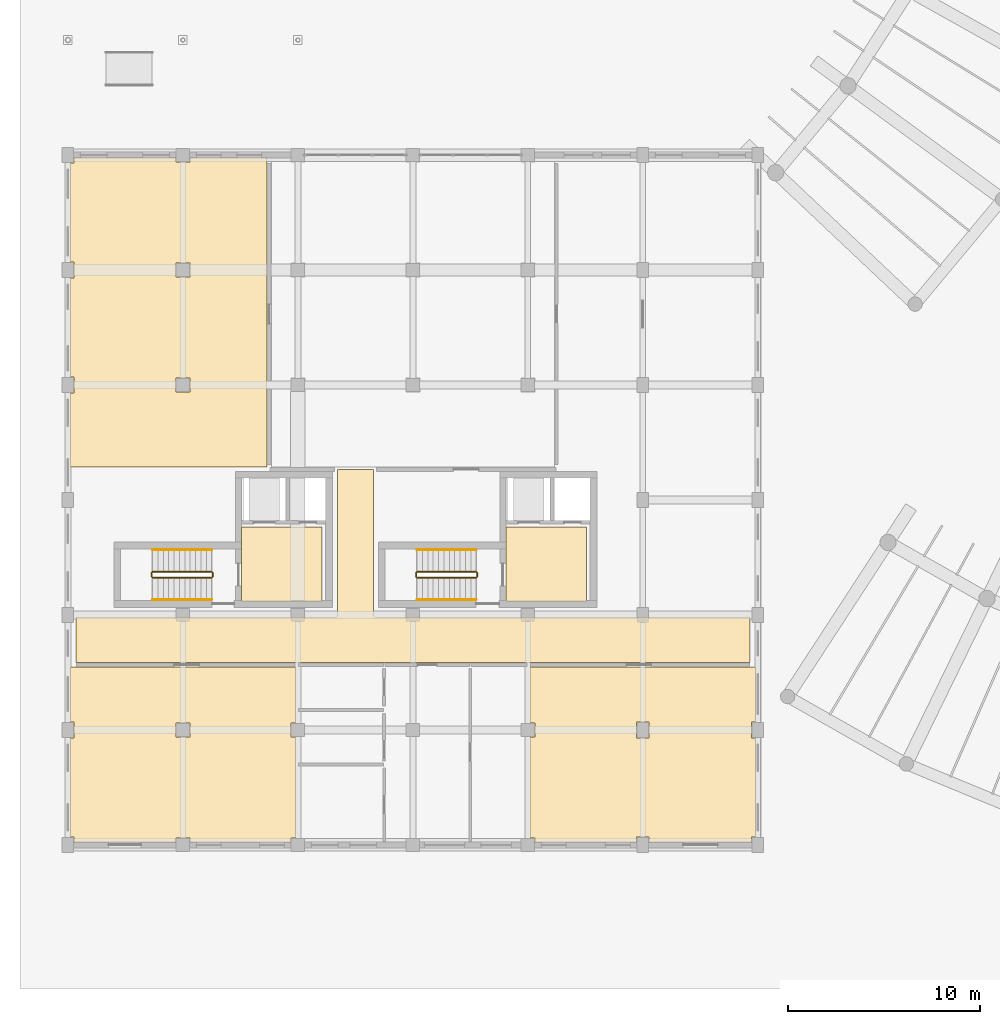
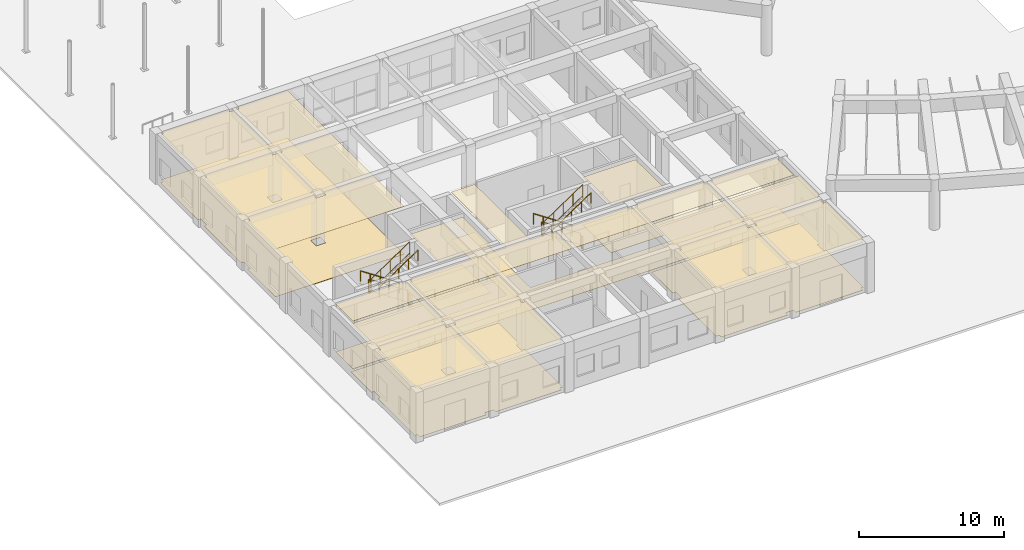
# One storey, part 67 of 76: 12 coverings, 12 railings.
"""IFC4 building model written with IfcOpenShell, lengths in metres."""

from ifc_helpers import new_model, si_unit, direction, frame, origin, origin_2d, place, context, subcontext, project, spatial, polyline, circle, outline, extrude, material, layer, layer_set, type_object, element, save


model = new_model("IFC4")

# Units and contexts
model_context = context("Model", 3, precision=1e-05, world=origin(), true_north=direction((0.0, 1.0)))
body_context = subcontext(model_context, "Body", "Model", "MODEL_VIEW")
ifc_project = project(units=[si_unit("LENGTHUNIT", "METRE"), si_unit("AREAUNIT", "SQUARE_METRE"), si_unit("VOLUMEUNIT", "CUBIC_METRE"), si_unit("PLANEANGLEUNIT", "RADIAN"), si_unit("MASSUNIT", "GRAM", prefix="KILO"), si_unit("POWERUNIT", "WATT"), si_unit("THERMODYNAMICTEMPERATUREUNIT", "KELVIN")], contexts=[model_context])

# Site, building, storey
site_placement = place(None, origin())
site = spatial("IfcSite", under=ifc_project, at=site_placement, CompositionType="ELEMENT")
building_placement = place(site_placement, origin())
building = spatial("IfcBuilding", under=site, at=building_placement, Name="Ruvembo Vaulted Housing Court", CompositionType="ELEMENT")
storey_placement = place(building_placement, origin())
storey = spatial("IfcBuildingStorey", under=building, at=storey_placement, Name="L00", CompositionType="ELEMENT", Elevation=0.0)

# Coverings
ifc_material_1 = material(Name="Perforated Mineral-Fibre Acoustic Tile", Category="gypsum")
ifc_layer_1 = layer(ifc_material_1, 0.02001953125, Name="Perforated Mineral-Fibre Acoustic Tile")
ifc_layer_set_1 = layer_set([ifc_layer_1], Name="Perforated Mineral-Fibre Acoustic Tile")
covering_type_1 = type_object("IfcCoveringType", Name="COV-CEIL-ACOUST", PredefinedType="CEILING", material=ifc_layer_set_1)
covering_1_placement = place(storey_placement, frame((0.0, 0.0, 4.034912109375)))
element("IfcCovering", 1, at=covering_1_placement, inside=storey, type_object=covering_type_1, Name="Firefighting Lift Lobby A1 Ceiling", PredefinedType="CEILING", context=body_context, shape_type="SweptSolid", body=[
    extrude(outline(polyline([(9.050048828125, 22.60009765625), (9.050048828125, 18.699951171875), (13.25, 18.699951171875), (13.25, 22.60009765625), (9.050048828125, 22.60009765625)])), origin(), (0.0, 0.0, 1.0), 0.02001953125),
])
covering_2_placement = place(storey_placement, frame((0.0, 0.0, 4.034912109375)))
element("IfcCovering", 2, at=covering_2_placement, inside=storey, type_object=covering_type_1, Name="Firefighting Lift Lobby A2 Ceiling", PredefinedType="CEILING", context=body_context, shape_type="SweptSolid", body=[
    extrude(outline(polyline([(22.85009765625, 22.60009765625), (22.85009765625, 18.699951171875), (27.050048828125, 18.699951171875), (27.050048828125, 22.60009765625), (22.85009765625, 22.60009765625)])), origin(), (0.0, 0.0, 1.0), 0.02001953125),
])
covering_3_placement = place(storey_placement, frame((0.0, 0.0, 4.034912109375)))
element("IfcCovering", 3, at=covering_3_placement, inside=storey, type_object=covering_type_1, Name="Block A L00 Corridor Ceiling", PredefinedType="CEILING", context=body_context, shape_type="SweptSolid", body=[
    extrude(outline(polyline([(13.949951171875, 17.889892578125), (0.409912109375, 17.889892578125), (0.409912109375, 15.510009765625), (35.590087890625, 15.510009765625), (35.590087890625, 17.889892578125), (16.050048828125, 17.889892578125), (16.039306640625, 17.890380859375), (16.028564453125, 17.89208984375), (16.01806640625, 17.894775390625), (16.0078125, 17.8984375), (15.998046875, 17.903076171875), (15.989013671875, 17.908447265625), (15.980224609375, 17.9150390625), (15.97216796875, 17.922119140625), (15.965087890625, 17.93017578125), (15.95849609375, 17.93896484375), (15.952880859375, 17.947998046875), (15.948486328125, 17.9580078125), (15.944580078125, 17.968017578125), (15.942138671875, 17.978515625), (15.9404296875, 17.9892578125), (15.93994140625, 18.0), (15.93994140625, 25.590087890625), (14.06005859375, 25.590087890625), (14.06005859375, 18.0), (14.0595703125, 17.9892578125), (14.057861328125, 17.978515625), (14.055419921875, 17.968017578125), (14.051513671875, 17.9580078125), (14.047119140625, 17.947998046875), (14.04150390625, 17.93896484375), (14.034912109375, 17.93017578125), (14.02783203125, 17.922119140625), (14.019775390625, 17.9150390625), (14.010986328125, 17.908447265625), (14.001953125, 17.903076171875), (13.9921875, 17.8984375), (13.98193359375, 17.894775390625), (13.971435546875, 17.89208984375), (13.960693359375, 17.890380859375), (13.949951171875, 17.889892578125)])), origin(), (0.0, 0.0, 1.0), 0.02001953125),
])
covering_4_placement = place(storey_placement, frame((0.0, 0.0, 4.034912109375)))
element("IfcCovering", 4, at=covering_4_placement, inside=storey, type_object=covering_type_1, Name="Fire Command Centre Ceiling", PredefinedType="CEILING", context=body_context, shape_type="SweptSolid", body=[
    extrude(outline(polyline([(0.320068359375, 30.419921875), (0.320068359375, 29.580078125), (0.110107421875, 29.580078125), (0.110107421875, 25.7099609375), (10.389892578125, 25.7099609375), (10.389892578125, 41.889892578125), (6.3701171875, 41.889892578125), (6.3701171875, 41.6298828125), (5.6298828125, 41.6298828125), (5.6298828125, 41.889892578125), (0.320068359375, 41.889892578125), (0.320068359375, 41.580078125), (0.110107421875, 41.580078125), (0.110107421875, 36.419921875), (0.320068359375, 36.419921875), (0.320068359375, 35.580078125), (0.110107421875, 35.580078125), (0.110107421875, 30.419921875), (0.320068359375, 30.419921875)]), holes=[polyline([(5.6298828125, 29.6298828125), (6.3701171875, 29.6298828125), (6.3701171875, 30.3701171875), (5.6298828125, 30.3701171875), (5.6298828125, 29.6298828125)]), polyline([(5.6298828125, 35.6298828125), (6.3701171875, 35.6298828125), (6.3701171875, 36.3701171875), (5.6298828125, 36.3701171875), (5.6298828125, 35.6298828125)])]), origin(), (0.0, 0.0, 1.0), 0.02001953125),
])
covering_5_placement = place(storey_placement, frame((0.0, 0.0, 4.034912109375)))
element("IfcCovering", 5, at=covering_5_placement, inside=storey, type_object=covering_type_1, Name="Block A West Exit Vestibule Ceiling", PredefinedType="CEILING", context=body_context, shape_type="SweptSolid", body=[
    extrude(outline(polyline([(5.6298828125, 6.3701171875), (6.3701171875, 6.3701171875), (6.3701171875, 6.110107421875), (11.6298828125, 6.110107421875), (11.6298828125, 6.3701171875), (11.889892578125, 6.3701171875), (11.889892578125, 11.6298828125), (11.6298828125, 11.6298828125), (11.6298828125, 12.3701171875), (11.889892578125, 12.3701171875), (11.889892578125, 15.2900390625), (0.110107421875, 15.2900390625), (0.110107421875, 12.419921875), (0.320068359375, 12.419921875), (0.320068359375, 11.580078125), (0.110107421875, 11.580078125), (0.110107421875, 6.419921875), (0.320068359375, 6.419921875), (0.320068359375, 6.110107421875), (5.6298828125, 6.110107421875), (5.6298828125, 6.3701171875)]), holes=[polyline([(5.6298828125, 11.6298828125), (6.3701171875, 11.6298828125), (6.3701171875, 12.3701171875), (5.6298828125, 12.3701171875), (5.6298828125, 11.6298828125)])]), origin(), (0.0, 0.0, 1.0), 0.02001953125),
])
covering_6_placement = place(storey_placement, frame((0.0, 0.0, 4.034912109375)))
element("IfcCovering", 6, at=covering_6_placement, inside=storey, type_object=covering_type_1, Name="Block A East Exit Vestibule Ceiling", PredefinedType="CEILING", context=body_context, shape_type="SweptSolid", body=[
    extrude(outline(polyline([(29.679931640625, 6.419921875), (30.320068359375, 6.419921875), (30.320068359375, 6.110107421875), (35.679931640625, 6.110107421875), (35.679931640625, 6.419921875), (35.889892578125, 6.419921875), (35.889892578125, 11.580078125), (35.679931640625, 11.580078125), (35.679931640625, 12.419921875), (35.889892578125, 12.419921875), (35.889892578125, 15.2900390625), (24.110107421875, 15.2900390625), (24.110107421875, 12.3701171875), (24.3701171875, 12.3701171875), (24.3701171875, 11.6298828125), (24.110107421875, 11.6298828125), (24.110107421875, 6.3701171875), (24.3701171875, 6.3701171875), (24.3701171875, 6.110107421875), (29.679931640625, 6.110107421875), (29.679931640625, 6.419921875)]), holes=[polyline([(29.679931640625, 11.580078125), (30.320068359375, 11.580078125), (30.320068359375, 12.419921875), (29.679931640625, 12.419921875), (29.679931640625, 11.580078125)])]), origin(), (0.0, 0.0, 1.0), 0.02001953125),
])
ifc_material_2 = material(Name="Polished Cement-Aggregate Terrazzo", Category="stone")
ifc_layer_2 = layer(ifc_material_2, 0.02197265625, Name="Polished Cement-Aggregate Terrazzo")
ifc_layer_set_2 = layer_set([ifc_layer_2], Name="Polished Cement-Aggregate Terrazzo")
covering_type_2 = type_object("IfcCoveringType", Name="COV-FLR-CERAMIC", PredefinedType="FLOORING", material=ifc_layer_set_2)
covering_7_placement = place(storey_placement, origin())
element("IfcCovering", 7, at=covering_7_placement, inside=storey, type_object=covering_type_2, Name="Firefighting Lift Lobby A1 Flooring", PredefinedType="FLOORING", context=body_context, shape_type="SweptSolid", body=[
    extrude(outline(polyline([(9.050048828125, 22.60009765625), (9.050048828125, 18.699951171875), (13.25, 18.699951171875), (13.25, 22.60009765625), (9.050048828125, 22.60009765625)])), origin(), (0.0, 0.0, 1.0), 0.02197265625),
])
covering_8_placement = place(storey_placement, origin())
element("IfcCovering", 8, at=covering_8_placement, inside=storey, type_object=covering_type_2, Name="Firefighting Lift Lobby A2 Flooring", PredefinedType="FLOORING", context=body_context, shape_type="SweptSolid", body=[
    extrude(outline(polyline([(22.85009765625, 22.60009765625), (22.85009765625, 18.699951171875), (27.050048828125, 18.699951171875), (27.050048828125, 22.60009765625), (22.85009765625, 22.60009765625)])), origin(), (0.0, 0.0, 1.0), 0.02197265625),
])
covering_9_placement = place(storey_placement, origin())
element("IfcCovering", 9, at=covering_9_placement, inside=storey, type_object=covering_type_2, Name="Block A L00 Corridor Flooring", PredefinedType="FLOORING", context=body_context, shape_type="SweptSolid", body=[
    extrude(outline(polyline([(13.949951171875, 17.889892578125), (0.409912109375, 17.889892578125), (0.409912109375, 15.510009765625), (35.590087890625, 15.510009765625), (35.590087890625, 17.889892578125), (16.050048828125, 17.889892578125), (16.039306640625, 17.890380859375), (16.028564453125, 17.89208984375), (16.01806640625, 17.894775390625), (16.0078125, 17.8984375), (15.998046875, 17.903076171875), (15.989013671875, 17.908447265625), (15.980224609375, 17.9150390625), (15.97216796875, 17.922119140625), (15.965087890625, 17.93017578125), (15.95849609375, 17.93896484375), (15.952880859375, 17.947998046875), (15.948486328125, 17.9580078125), (15.944580078125, 17.968017578125), (15.942138671875, 17.978515625), (15.9404296875, 17.9892578125), (15.93994140625, 18.0), (15.93994140625, 25.590087890625), (14.06005859375, 25.590087890625), (14.06005859375, 18.0), (14.0595703125, 17.9892578125), (14.057861328125, 17.978515625), (14.055419921875, 17.968017578125), (14.051513671875, 17.9580078125), (14.047119140625, 17.947998046875), (14.04150390625, 17.93896484375), (14.034912109375, 17.93017578125), (14.02783203125, 17.922119140625), (14.019775390625, 17.9150390625), (14.010986328125, 17.908447265625), (14.001953125, 17.903076171875), (13.9921875, 17.8984375), (13.98193359375, 17.894775390625), (13.971435546875, 17.89208984375), (13.960693359375, 17.890380859375), (13.949951171875, 17.889892578125)])), origin(), (0.0, 0.0, 1.0), 0.02197265625),
])
covering_10_placement = place(storey_placement, origin())
element("IfcCovering", 10, at=covering_10_placement, inside=storey, type_object=covering_type_2, Name="Fire Command Centre Flooring", PredefinedType="FLOORING", context=body_context, shape_type="SweptSolid", body=[
    extrude(outline(polyline([(0.320068359375, 30.419921875), (0.320068359375, 29.580078125), (0.110107421875, 29.580078125), (0.110107421875, 25.7099609375), (10.389892578125, 25.7099609375), (10.389892578125, 41.889892578125), (6.3701171875, 41.889892578125), (6.3701171875, 41.6298828125), (5.6298828125, 41.6298828125), (5.6298828125, 41.889892578125), (0.320068359375, 41.889892578125), (0.320068359375, 41.580078125), (0.110107421875, 41.580078125), (0.110107421875, 36.419921875), (0.320068359375, 36.419921875), (0.320068359375, 35.580078125), (0.110107421875, 35.580078125), (0.110107421875, 30.419921875), (0.320068359375, 30.419921875)]), holes=[polyline([(5.6298828125, 29.6298828125), (6.3701171875, 29.6298828125), (6.3701171875, 30.3701171875), (5.6298828125, 30.3701171875), (5.6298828125, 29.6298828125)]), polyline([(5.6298828125, 35.6298828125), (6.3701171875, 35.6298828125), (6.3701171875, 36.3701171875), (5.6298828125, 36.3701171875), (5.6298828125, 35.6298828125)])]), origin(), (0.0, 0.0, 1.0), 0.02197265625),
])
covering_11_placement = place(storey_placement, origin())
element("IfcCovering", 11, at=covering_11_placement, inside=storey, type_object=covering_type_2, Name="Block A West Exit Vestibule Flooring", PredefinedType="FLOORING", context=body_context, shape_type="SweptSolid", body=[
    extrude(outline(polyline([(5.6298828125, 6.3701171875), (6.3701171875, 6.3701171875), (6.3701171875, 6.110107421875), (11.6298828125, 6.110107421875), (11.6298828125, 6.3701171875), (11.889892578125, 6.3701171875), (11.889892578125, 11.6298828125), (11.6298828125, 11.6298828125), (11.6298828125, 12.3701171875), (11.889892578125, 12.3701171875), (11.889892578125, 15.2900390625), (0.110107421875, 15.2900390625), (0.110107421875, 12.419921875), (0.320068359375, 12.419921875), (0.320068359375, 11.580078125), (0.110107421875, 11.580078125), (0.110107421875, 6.419921875), (0.320068359375, 6.419921875), (0.320068359375, 6.110107421875), (5.6298828125, 6.110107421875), (5.6298828125, 6.3701171875)]), holes=[polyline([(5.6298828125, 11.6298828125), (6.3701171875, 11.6298828125), (6.3701171875, 12.3701171875), (5.6298828125, 12.3701171875), (5.6298828125, 11.6298828125)])]), origin(), (0.0, 0.0, 1.0), 0.02197265625),
])
covering_12_placement = place(storey_placement, origin())
element("IfcCovering", 12, at=covering_12_placement, inside=storey, type_object=covering_type_2, Name="Block A East Exit Vestibule Flooring", PredefinedType="FLOORING", context=body_context, shape_type="SweptSolid", body=[
    extrude(outline(polyline([(29.679931640625, 6.419921875), (30.320068359375, 6.419921875), (30.320068359375, 6.110107421875), (35.679931640625, 6.110107421875), (35.679931640625, 6.419921875), (35.889892578125, 6.419921875), (35.889892578125, 11.580078125), (35.679931640625, 11.580078125), (35.679931640625, 12.419921875), (35.889892578125, 12.419921875), (35.889892578125, 15.2900390625), (24.110107421875, 15.2900390625), (24.110107421875, 12.3701171875), (24.3701171875, 12.3701171875), (24.3701171875, 11.6298828125), (24.110107421875, 11.6298828125), (24.110107421875, 6.3701171875), (24.3701171875, 6.3701171875), (24.3701171875, 6.110107421875), (29.679931640625, 6.110107421875), (29.679931640625, 6.419921875)]), holes=[polyline([(29.679931640625, 11.580078125), (30.320068359375, 11.580078125), (30.320068359375, 12.419921875), (29.679931640625, 12.419921875), (29.679931640625, 11.580078125)])]), origin(), (0.0, 0.0, 1.0), 0.02197265625),
])

# Railings
ifc_material_3 = material(Name="Painted Galvanised Steel S275", Category="steel")
ifc_layer_3 = layer(ifc_material_3, 0.06005859375, Name="Painted Galvanised Steel S275")
ifc_layer_set_3 = layer_set([ifc_layer_3], Name="Painted Galvanised Steel S275")
railing_type_1 = type_object("IfcRailingType", Name="RL-STAIR-GR1100", PredefinedType="GUARDRAIL", material=ifc_layer_set_3)
railing_1_placement = place(storey_placement, frame((7.5, 20.25, 0.1875)))
element("IfcRailing", 13, at=railing_1_placement, inside=storey, type_object=railing_type_1, Name="L00 ST-A1 stair guard 1", PredefinedType="GUARDRAIL", context=body_context, shape_type="SweptSolid", body=[
    extrude(circle(Radius=0.02392578125, at=origin_2d()), frame((0.0, 0.0, 1.076171875), z_axis=(-0.830913701846, 0.0, 0.55640131208), x_axis=(0.0, -1.0, 0.0)), (0.0, 0.0, 1.0), 3.706787109375),
    extrude(circle(Radius=0.01806640625, at=origin_2d()), frame((0.0, 0.0, 0.1201171875), z_axis=(-0.830913701846, 0.0, 0.55640131208), x_axis=(0.0, -1.0, 0.0)), (0.0, 0.0, 1.0), 3.706787109375),
    extrude(circle(Radius=0.02099609375, at=origin_2d()), origin(), (0.0, 0.0, 1.0), 1.052001953125),
    extrude(circle(Radius=0.02099609375, at=origin_2d()), frame((-0.77001953125, 0.0, 0.515625)), (0.0, 0.0, 1.0), 1.052001953125),
    extrude(circle(Radius=0.02099609375, at=origin_2d()), frame((-1.5400390625, 0.0, 1.03125)), (0.0, 0.0, 1.0), 1.052001953125),
    extrude(circle(Radius=0.02099609375, at=origin_2d()), frame((-2.31005859375, 0.0, 1.546875)), (0.0, 0.0, 1.0), 1.052001953125),
    extrude(circle(Radius=0.02099609375, at=origin_2d()), frame((-3.080078125, 0.0, 2.0625)), (0.0, 0.0, 1.0), 1.052001953125),
])
railing_2_placement = place(storey_placement, frame((4.3701171875, 20.199951171875, 2.25)))
element("IfcRailing", 14, at=railing_2_placement, inside=storey, type_object=railing_type_1, Name="L00 ST-A1 stair guard 2", PredefinedType="GUARDRAIL", context=body_context, shape_type="SweptSolid", body=[
    extrude(circle(Radius=0.02392578125, at=origin_2d()), frame((0.0, 0.0, 1.076171875), z_axis=(0.0, -1.0, 0.0), x_axis=(1.0, 0.0, 0.0)), (0.0, 0.0, 1.0), 0.199951171875),
    extrude(circle(Radius=0.01806640625, at=origin_2d()), frame((0.0, 0.0, 0.1201171875), z_axis=(0.0, -1.0, 0.0), x_axis=(1.0, 0.0, 0.0)), (0.0, 0.0, 1.0), 0.199951171875),
    extrude(circle(Radius=0.02099609375, at=origin_2d()), origin(), (0.0, 0.0, 1.0), 1.052001953125),
    extrude(circle(Radius=0.02099609375, at=origin_2d()), frame((0.0, -0.199951171875, 0.0)), (0.0, 0.0, 1.0), 1.052001953125),
])
railing_3_placement = place(storey_placement, frame((4.419921875, 19.949951171875, 2.4375)))
element("IfcRailing", 15, at=railing_3_placement, inside=storey, type_object=railing_type_1, Name="L00 ST-A1 stair guard 3", PredefinedType="GUARDRAIL", context=body_context, shape_type="SweptSolid", body=[
    extrude(circle(Radius=0.02392578125, at=origin_2d()), frame((0.0, 0.0, 1.076171875), z_axis=(0.830913701846, 0.0, 0.55640131208), x_axis=(0.0, 1.0, 0.0)), (0.0, 0.0, 1.0), 3.706787109375),
    extrude(circle(Radius=0.01806640625, at=origin_2d()), frame((0.0, 0.0, 0.1201171875), z_axis=(0.830913701846, 0.0, 0.55640131208), x_axis=(0.0, 1.0, 0.0)), (0.0, 0.0, 1.0), 3.706787109375),
    extrude(circle(Radius=0.02099609375, at=origin_2d()), origin(), (0.0, 0.0, 1.0), 1.052001953125),
    extrude(circle(Radius=0.02099609375, at=origin_2d()), frame((0.77001953125, 0.0, 0.515625)), (0.0, 0.0, 1.0), 1.052001953125),
    extrude(circle(Radius=0.02099609375, at=origin_2d()), frame((1.5400390625, 0.0, 1.03125)), (0.0, 0.0, 1.0), 1.052001953125),
    extrude(circle(Radius=0.02099609375, at=origin_2d()), frame((2.31005859375, 0.0, 1.546875)), (0.0, 0.0, 1.0), 1.052001953125),
    extrude(circle(Radius=0.02099609375, at=origin_2d()), frame((3.080078125, 0.0, 2.0625)), (0.0, 0.0, 1.0), 1.052001953125),
])
railing_4_placement = place(storey_placement, frame((7.550048828125, 20.199951171875, 0.0)))
element("IfcRailing", 16, at=railing_4_placement, inside=storey, type_object=railing_type_1, Name="L00 ST-A1 stair guard 4", PredefinedType="GUARDRAIL", context=body_context, shape_type="SweptSolid", body=[
    extrude(circle(Radius=0.02392578125, at=origin_2d()), frame((0.0, 0.0, 1.076171875), z_axis=(0.0, -1.0, 0.0), x_axis=(1.0, 0.0, 0.0)), (0.0, 0.0, 1.0), 0.199951171875),
    extrude(circle(Radius=0.01806640625, at=origin_2d()), frame((0.0, 0.0, 0.1201171875), z_axis=(0.0, -1.0, 0.0), x_axis=(1.0, 0.0, 0.0)), (0.0, 0.0, 1.0), 0.199951171875),
    extrude(circle(Radius=0.02099609375, at=origin_2d()), origin(), (0.0, 0.0, 1.0), 1.052001953125),
    extrude(circle(Radius=0.02099609375, at=origin_2d()), frame((0.0, -0.199951171875, 0.0)), (0.0, 0.0, 1.0), 1.052001953125),
])
railing_5_placement = place(storey_placement, frame((21.300048828125, 20.25, 0.1875)))
element("IfcRailing", 17, at=railing_5_placement, inside=storey, type_object=railing_type_1, Name="L00 ST-A2 stair guard 1", PredefinedType="GUARDRAIL", context=body_context, shape_type="SweptSolid", body=[
    extrude(circle(Radius=0.02392578125, at=origin_2d()), frame((0.0, 0.0, 1.076171875), z_axis=(-0.830913701846, 0.0, 0.55640131208), x_axis=(0.0, -1.0, 0.0)), (0.0, 0.0, 1.0), 3.706787109375),
    extrude(circle(Radius=0.01806640625, at=origin_2d()), frame((0.0, 0.0, 0.1201171875), z_axis=(-0.830913701846, 0.0, 0.55640131208), x_axis=(0.0, -1.0, 0.0)), (0.0, 0.0, 1.0), 3.706787109375),
    extrude(circle(Radius=0.02099609375, at=origin_2d()), origin(), (0.0, 0.0, 1.0), 1.052001953125),
    extrude(circle(Radius=0.02099609375, at=origin_2d()), frame((-0.77001953125, 0.0, 0.515625)), (0.0, 0.0, 1.0), 1.052001953125),
    extrude(circle(Radius=0.02099609375, at=origin_2d()), frame((-1.5400390625, 0.0, 1.03125)), (0.0, 0.0, 1.0), 1.052001953125),
    extrude(circle(Radius=0.02099609375, at=origin_2d()), frame((-2.31005859375, 0.0, 1.546875)), (0.0, 0.0, 1.0), 1.052001953125),
    extrude(circle(Radius=0.02099609375, at=origin_2d()), frame((-3.080078125, 0.0, 2.0625)), (0.0, 0.0, 1.0), 1.052001953125),
])
railing_6_placement = place(storey_placement, frame((18.169921875, 20.199951171875, 2.25)))
element("IfcRailing", 18, at=railing_6_placement, inside=storey, type_object=railing_type_1, Name="L00 ST-A2 stair guard 2", PredefinedType="GUARDRAIL", context=body_context, shape_type="SweptSolid", body=[
    extrude(circle(Radius=0.02392578125, at=origin_2d()), frame((0.0, 0.0, 1.076171875), z_axis=(0.0, -1.0, 0.0), x_axis=(1.0, 0.0, 0.0)), (0.0, 0.0, 1.0), 0.199951171875),
    extrude(circle(Radius=0.01806640625, at=origin_2d()), frame((0.0, 0.0, 0.1201171875), z_axis=(0.0, -1.0, 0.0), x_axis=(1.0, 0.0, 0.0)), (0.0, 0.0, 1.0), 0.199951171875),
    extrude(circle(Radius=0.02099609375, at=origin_2d()), origin(), (0.0, 0.0, 1.0), 1.052001953125),
    extrude(circle(Radius=0.02099609375, at=origin_2d()), frame((0.0, -0.199951171875, 0.0)), (0.0, 0.0, 1.0), 1.052001953125),
])
railing_7_placement = place(storey_placement, frame((18.219970703125, 19.949951171875, 2.4375)))
element("IfcRailing", 19, at=railing_7_placement, inside=storey, type_object=railing_type_1, Name="L00 ST-A2 stair guard 3", PredefinedType="GUARDRAIL", context=body_context, shape_type="SweptSolid", body=[
    extrude(circle(Radius=0.02392578125, at=origin_2d()), frame((0.0, 0.0, 1.076171875), z_axis=(0.830913701846, 0.0, 0.55640131208), x_axis=(0.0, 1.0, 0.0)), (0.0, 0.0, 1.0), 3.706787109375),
    extrude(circle(Radius=0.01806640625, at=origin_2d()), frame((0.0, 0.0, 0.1201171875), z_axis=(0.830913701846, 0.0, 0.55640131208), x_axis=(0.0, 1.0, 0.0)), (0.0, 0.0, 1.0), 3.706787109375),
    extrude(circle(Radius=0.02099609375, at=origin_2d()), origin(), (0.0, 0.0, 1.0), 1.052001953125),
    extrude(circle(Radius=0.02099609375, at=origin_2d()), frame((0.77001953125, 0.0, 0.515625)), (0.0, 0.0, 1.0), 1.052001953125),
    extrude(circle(Radius=0.02099609375, at=origin_2d()), frame((1.5400390625, 0.0, 1.03125)), (0.0, 0.0, 1.0), 1.052001953125),
    extrude(circle(Radius=0.02099609375, at=origin_2d()), frame((2.31005859375, 0.0, 1.546875)), (0.0, 0.0, 1.0), 1.052001953125),
    extrude(circle(Radius=0.02099609375, at=origin_2d()), frame((3.080078125, 0.0, 2.0625)), (0.0, 0.0, 1.0), 1.052001953125),
])
railing_8_placement = place(storey_placement, frame((21.35009765625, 20.199951171875, 0.0)))
element("IfcRailing", 20, at=railing_8_placement, inside=storey, type_object=railing_type_1, Name="L00 ST-A2 stair guard 4", PredefinedType="GUARDRAIL", context=body_context, shape_type="SweptSolid", body=[
    extrude(circle(Radius=0.02392578125, at=origin_2d()), frame((0.0, 0.0, 1.076171875), z_axis=(0.0, -1.0, 0.0), x_axis=(1.0, 0.0, 0.0)), (0.0, 0.0, 1.0), 0.199951171875),
    extrude(circle(Radius=0.01806640625, at=origin_2d()), frame((0.0, 0.0, 0.1201171875), z_axis=(0.0, -1.0, 0.0), x_axis=(1.0, 0.0, 0.0)), (0.0, 0.0, 1.0), 0.199951171875),
    extrude(circle(Radius=0.02099609375, at=origin_2d()), origin(), (0.0, 0.0, 1.0), 1.052001953125),
    extrude(circle(Radius=0.02099609375, at=origin_2d()), frame((0.0, -0.199951171875, 0.0)), (0.0, 0.0, 1.0), 1.052001953125),
])
ifc_material_4 = material(Name="Brushed Stainless Steel 304", Category="steel")
ifc_layer_4 = layer(ifc_material_4, 0.050048828125, Name="Brushed Stainless Steel 304")
ifc_layer_set_4 = layer_set([ifc_layer_4], Name="Brushed Stainless Steel 304")
railing_type_2 = type_object("IfcRailingType", Name="RL-STAIR-HR920", PredefinedType="HANDRAIL", material=ifc_layer_set_4)
railing_9_placement = place(storey_placement, frame((7.5, 21.39990234375, 0.379150390625)))
element("IfcRailing", 21, at=railing_9_placement, inside=storey, type_object=railing_type_2, Name="L00 ST-A1 stair handrail 1", PredefinedType="HANDRAIL", context=body_context, shape_type="SweptSolid", body=[
    extrude(circle(Radius=0.02392578125, at=origin_2d()), frame((0.0, 0.0, 0.8759765625), z_axis=(-0.830913701846, 0.0, 0.55640131208), x_axis=(0.0, -1.0, 0.0)), (0.0, 0.0, 1.0), 3.706787109375),
    extrude(circle(Radius=0.02099609375, at=origin_2d()), origin(), (0.0, 0.0, 1.0), 0.851806640625),
    extrude(circle(Radius=0.02099609375, at=origin_2d()), frame((-0.77001953125, 0.0, 0.515625)), (0.0, 0.0, 1.0), 0.851806640625),
    extrude(circle(Radius=0.02099609375, at=origin_2d()), frame((-1.5400390625, 0.0, 1.03125)), (0.0, 0.0, 1.0), 0.851806640625),
    extrude(circle(Radius=0.02099609375, at=origin_2d()), frame((-2.31005859375, 0.0, 1.546875)), (0.0, 0.0, 1.0), 0.851806640625),
    extrude(circle(Radius=0.02099609375, at=origin_2d()), frame((-3.080078125, 0.0, 2.0625)), (0.0, 0.0, 1.0), 0.851806640625),
])
railing_10_placement = place(storey_placement, frame((4.419921875, 18.800048828125, 2.629150390625)))
element("IfcRailing", 22, at=railing_10_placement, inside=storey, type_object=railing_type_2, Name="L00 ST-A1 stair handrail 2", PredefinedType="HANDRAIL", context=body_context, shape_type="SweptSolid", body=[
    extrude(circle(Radius=0.02392578125, at=origin_2d()), frame((0.0, 0.0, 0.8759765625), z_axis=(0.830913701846, 0.0, 0.55640131208), x_axis=(0.0, 1.0, 0.0)), (0.0, 0.0, 1.0), 3.706787109375),
    extrude(circle(Radius=0.02099609375, at=origin_2d()), origin(), (0.0, 0.0, 1.0), 0.851806640625),
    extrude(circle(Radius=0.02099609375, at=origin_2d()), frame((0.77001953125, 0.0, 0.515625)), (0.0, 0.0, 1.0), 0.851806640625),
    extrude(circle(Radius=0.02099609375, at=origin_2d()), frame((1.5400390625, 0.0, 1.03125)), (0.0, 0.0, 1.0), 0.851806640625),
    extrude(circle(Radius=0.02099609375, at=origin_2d()), frame((2.31005859375, 0.0, 1.546875)), (0.0, 0.0, 1.0), 0.851806640625),
    extrude(circle(Radius=0.02099609375, at=origin_2d()), frame((3.080078125, 0.0, 2.0625)), (0.0, 0.0, 1.0), 0.851806640625),
])
railing_11_placement = place(storey_placement, frame((21.300048828125, 21.39990234375, 0.379150390625)))
element("IfcRailing", 23, at=railing_11_placement, inside=storey, type_object=railing_type_2, Name="L00 ST-A2 stair handrail 1", PredefinedType="HANDRAIL", context=body_context, shape_type="SweptSolid", body=[
    extrude(circle(Radius=0.02392578125, at=origin_2d()), frame((0.0, 0.0, 0.8759765625), z_axis=(-0.830913701846, 0.0, 0.55640131208), x_axis=(0.0, -1.0, 0.0)), (0.0, 0.0, 1.0), 3.706787109375),
    extrude(circle(Radius=0.02099609375, at=origin_2d()), origin(), (0.0, 0.0, 1.0), 0.851806640625),
    extrude(circle(Radius=0.02099609375, at=origin_2d()), frame((-0.77001953125, 0.0, 0.515625)), (0.0, 0.0, 1.0), 0.851806640625),
    extrude(circle(Radius=0.02099609375, at=origin_2d()), frame((-1.5400390625, 0.0, 1.03125)), (0.0, 0.0, 1.0), 0.851806640625),
    extrude(circle(Radius=0.02099609375, at=origin_2d()), frame((-2.31005859375, 0.0, 1.546875)), (0.0, 0.0, 1.0), 0.851806640625),
    extrude(circle(Radius=0.02099609375, at=origin_2d()), frame((-3.080078125, 0.0, 2.0625)), (0.0, 0.0, 1.0), 0.851806640625),
])
railing_12_placement = place(storey_placement, frame((18.219970703125, 18.800048828125, 2.629150390625)))
element("IfcRailing", 24, at=railing_12_placement, inside=storey, type_object=railing_type_2, Name="L00 ST-A2 stair handrail 2", PredefinedType="HANDRAIL", context=body_context, shape_type="SweptSolid", body=[
    extrude(circle(Radius=0.02392578125, at=origin_2d()), frame((0.0, 0.0, 0.8759765625), z_axis=(0.830913701846, 0.0, 0.55640131208), x_axis=(0.0, 1.0, 0.0)), (0.0, 0.0, 1.0), 3.706787109375),
    extrude(circle(Radius=0.02099609375, at=origin_2d()), origin(), (0.0, 0.0, 1.0), 0.851806640625),
    extrude(circle(Radius=0.02099609375, at=origin_2d()), frame((0.77001953125, 0.0, 0.515625)), (0.0, 0.0, 1.0), 0.851806640625),
    extrude(circle(Radius=0.02099609375, at=origin_2d()), frame((1.5400390625, 0.0, 1.03125)), (0.0, 0.0, 1.0), 0.851806640625),
    extrude(circle(Radius=0.02099609375, at=origin_2d()), frame((2.31005859375, 0.0, 1.546875)), (0.0, 0.0, 1.0), 0.851806640625),
    extrude(circle(Radius=0.02099609375, at=origin_2d()), frame((3.080078125, 0.0, 2.0625)), (0.0, 0.0, 1.0), 0.851806640625),
])

save(model, "model.ifc")
